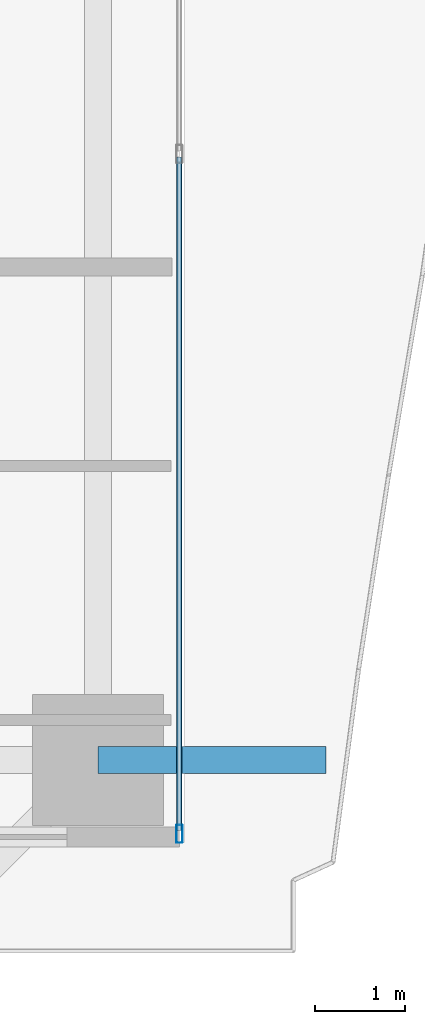
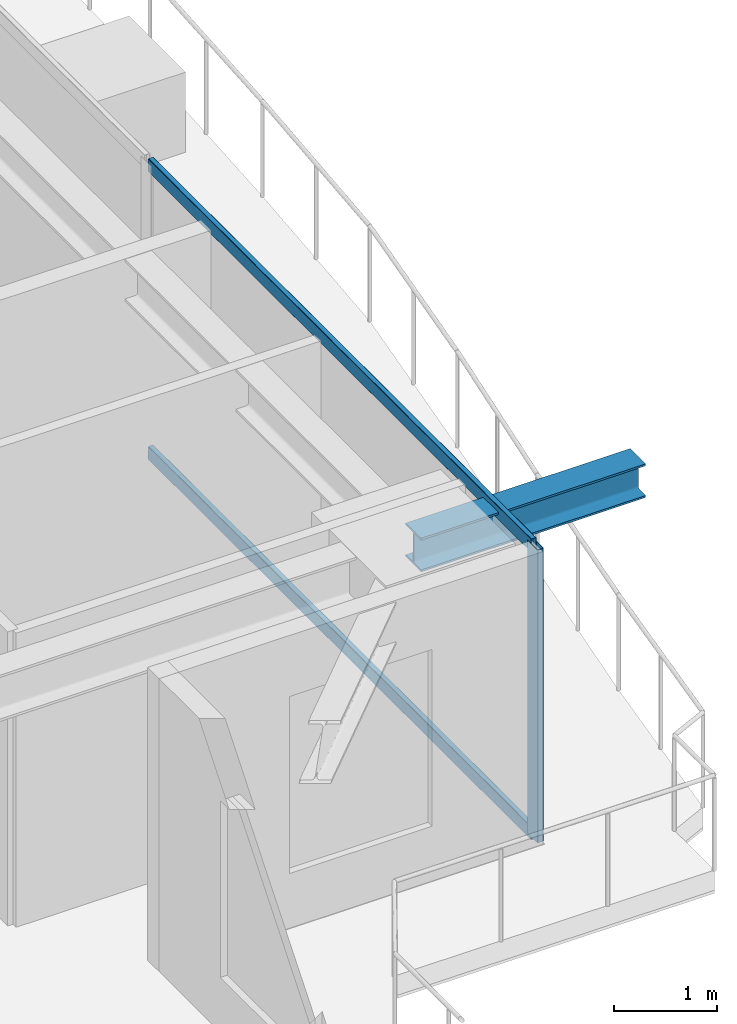
# One storey, part 13 of 39: 3 members, 1 beam, 1 element without a shape of its own.
"""IFC4 building model written with IfcOpenShell, lengths in metres."""

from ifc_helpers import new_model, si_unit, direction, frame, origin, origin_2d, place, context, subcontext, project, spatial, hollow_rectangle, i_section, extrude, source, transform, mapped, material, layer, layer_set, material_profile, profile_set, type_object, element, aggregate, save


model = new_model("IFC4")

# Units and contexts
model_context = context("Model", 3, precision=1e-05, world=origin(), true_north=direction((0.0, 1.0)))
body_context = subcontext(model_context, "Body", "Model", "MODEL_VIEW")
ifc_project = project(units=[si_unit("LENGTHUNIT", "METRE"), si_unit("AREAUNIT", "SQUARE_METRE"), si_unit("VOLUMEUNIT", "CUBIC_METRE"), si_unit("PLANEANGLEUNIT", "RADIAN"), si_unit("MASSUNIT", "GRAM", prefix="KILO")], contexts=[model_context])

# Site, building, storey
site_placement = place(None, origin())
site = spatial("IfcSite", under=ifc_project, at=site_placement, CompositionType="ELEMENT")
building_placement = place(site_placement, origin())
building = spatial("IfcBuilding", under=site, at=building_placement, Name="Serunith Strait Residences", CompositionType="ELEMENT")
storey_placement = place(building_placement, frame((0.0, 0.0, 64.199951171875)))
storey = spatial("IfcBuildingStorey", under=building, at=storey_placement, Name="L15", CompositionType="ELEMENT", Elevation=64.199951171875)

# Beam
ifc_material_1 = material(Name="Steel S355J2", Category="steel")
ifc_material_profile_1 = material_profile(ifc_material_1, i_section(OverallWidth=0.300048828125, OverallDepth=0.39990234375, WebThickness=0.013427734375, FlangeThickness=0.02392578125, FilletRadius=0.027099609375, at=origin_2d()), Name="HEB 400")
ifc_profile_set_1 = profile_set([ifc_material_profile_1], Name="Steel S355J2")
beam_type = type_object("IfcBeamType", Name="BM-HEB400", PredefinedType="BEAM", material=ifc_profile_set_1)
shared_shape_1 = source(origin(), body_context, "Body", "SweptSolid", [
    extrude(i_section(OverallWidth=0.300048828125, OverallDepth=0.39990234375, WebThickness=0.013427734375, FlangeThickness=0.02392578125, FilletRadius=0.027099609375, at=origin_2d()), origin(), (0.0, 0.0, 1.0), 2.52099609375),
])
beam_placement = place(storey_placement, frame((57.89990234375, 9.449951171875, 3.257080078125), z_axis=(1.0, 0.0, 0.0), x_axis=(0.0, 1.0, 0.0)))
element("IfcBeam", 1, at=beam_placement, inside=storey, type_object=beam_type, Name="L16 Cantilevered Balcony Rib TC-E1", PredefinedType="BEAM", context=body_context, shape_type="MappedRepresentation", body=[
    mapped(shared_shape_1, transform((0.0, 0.0, 0.0), scale=1.0)),
])

# Curtain wall, members
ifc_material_2 = material(Name="Pale-Champagne Anodised Aluminium", Category="aluminium")
ifc_layer = layer(ifc_material_2, 0.199951171875, Name="Pale-Champagne Anodised Aluminium")
ifc_layer_set = layer_set([ifc_layer], Name="Pale-Champagne Anodised Aluminium")
curtain_wall_type = type_object("IfcCurtainWallType", Name="CW-SYS1", PredefinedType="NOTDEFINED", material=ifc_layer_set)
curtain_wall_placement = place(storey_placement, origin())
curtain_wall = element("IfcCurtainWall", 2, at=curtain_wall_placement, inside=storey, type_object=curtain_wall_type, Name="L15 E Unitised Fritted Curtain Wall", PredefinedType="NOTDEFINED")
ifc_material_profile_2 = material_profile(ifc_material_2, hollow_rectangle(XDim=0.070068359375, YDim=0.199951171875, WallThickness=0.00390625, InnerFilletRadius=0.006103515625, OuterFilletRadius=0.010009765625, at=origin_2d()), Name="ALU 200x70x4")
ifc_profile_set_2 = profile_set([ifc_material_profile_2], Name="Pale-Champagne Anodised Aluminium")
member_type_1 = type_object("IfcMemberType", Name="CW-SYS1-MULL", PredefinedType="MULLION", material=ifc_profile_set_2)
shared_shape_2 = source(origin(), body_context, "Body", "SweptSolid", [
    extrude(hollow_rectangle(XDim=0.070068359375, YDim=0.199951171875, WallThickness=0.00390625, InnerFilletRadius=0.006103515625, OuterFilletRadius=0.010009765625, at=origin_2d()), origin(), (0.0, 0.0, 1.0), 3.47509765625),
])
member_1_placement = place(storey_placement, frame((58.800048828125, 8.635009765625, 0.0), z_axis=(0.0, 0.0, 1.0), x_axis=(-1.0, 0.0, 0.0)))
member_1 = element("IfcMember", 3, at=member_1_placement, type_object=member_type_1, Name="CW-1 mullion 1", PredefinedType="MULLION", context=body_context, shape_type="MappedRepresentation", body=[
    mapped(shared_shape_2, transform((0.0, 0.0, 0.0), scale=1.0)),
])
ifc_material_profile_3 = material_profile(ifc_material_2, hollow_rectangle(XDim=0.06005859375, YDim=0.159912109375, WallThickness=0.00341796875, InnerFilletRadius=0.00537109375, OuterFilletRadius=0.0087890625, at=origin_2d()), Name="ALU 160x60x3.5")
ifc_profile_set_3 = profile_set([ifc_material_profile_3], Name="Pale-Champagne Anodised Aluminium")
member_type_2 = type_object("IfcMemberType", Name="CW-SYS1-TRAN", PredefinedType="USERDEFINED", material=ifc_profile_set_3)
shared_shape_3 = source(origin(), body_context, "Body", "SweptSolid", [
    extrude(hollow_rectangle(XDim=0.06005859375, YDim=0.159912109375, WallThickness=0.00341796875, InnerFilletRadius=0.00537109375, OuterFilletRadius=0.0087890625, at=origin_2d()), origin(), (0.0, 0.0, 1.0), 7.445068359375),
])
member_2_placement = place(storey_placement, frame((58.800048828125, 8.669921875, 0.030029296875), z_axis=(0.0, 1.0, 0.0), x_axis=(-1.0, 0.0, 0.0)))
member_2 = element("IfcMember", 4, at=member_2_placement, type_object=member_type_2, Name="CW-1 transom 1.1", ObjectType="TRANSOM", PredefinedType="USERDEFINED", context=body_context, shape_type="MappedRepresentation", body=[
    mapped(shared_shape_3, transform((0.0, 0.0, 0.0), scale=1.0)),
])
member_3_placement = place(storey_placement, frame((58.800048828125, 8.669921875, 3.445068359375), z_axis=(0.0, 1.0, 0.0), x_axis=(-1.0, 0.0, 0.0)))
member_3 = element("IfcMember", 5, at=member_3_placement, type_object=member_type_2, Name="CW-1 transom 1.2", ObjectType="TRANSOM", PredefinedType="USERDEFINED", context=body_context, shape_type="MappedRepresentation", body=[
    mapped(shared_shape_3, transform((0.0, 0.0, 0.0), scale=1.0)),
])
aggregate(curtain_wall, [member_1, member_2, member_3])

save(model, "model.ifc")
